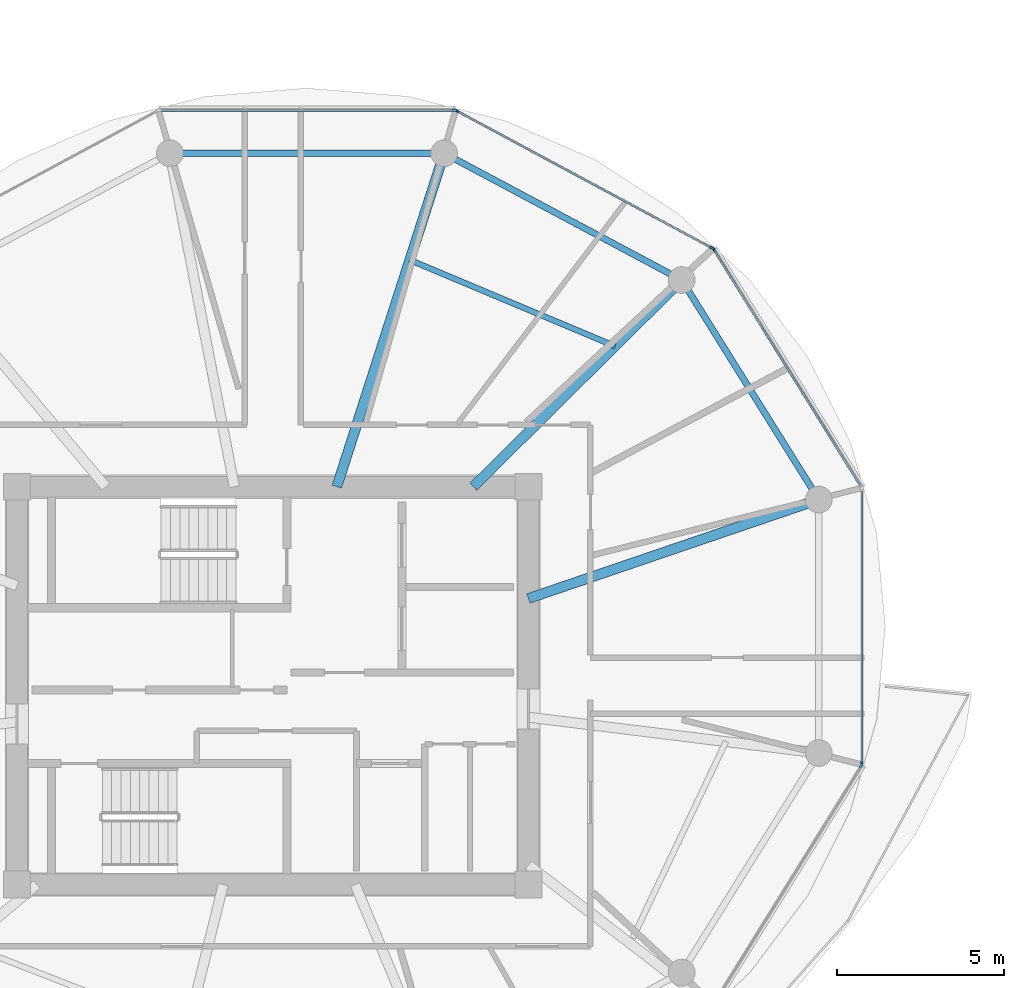
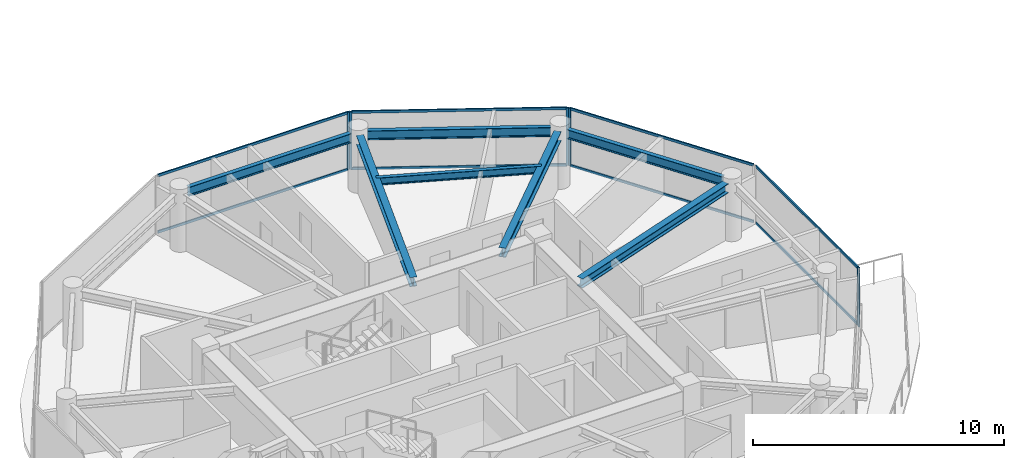
# One storey, part 5 of 22: 14 members, 7 beams, 5 elements without a shape of their own.
"""IFC4 building model written with IfcOpenShell, lengths in metres."""

from ifc_helpers import new_model, si_unit, direction, frame, origin, origin_2d, place, context, subcontext, project, spatial, rectangle, i_section, extrude, source, transform, mapped, material, layer, layer_set, material_profile, profile_set, type_object, type_shapes, element, aggregate, save


model = new_model("IFC4")

# Units and contexts
model_context = context("Model", 3, precision=1e-05, world=origin(), true_north=direction((0.0, 1.0)))
body_context = subcontext(model_context, "Body", "Model", "MODEL_VIEW")
ifc_project = project(units=[si_unit("LENGTHUNIT", "METRE"), si_unit("AREAUNIT", "SQUARE_METRE"), si_unit("VOLUMEUNIT", "CUBIC_METRE"), si_unit("PLANEANGLEUNIT", "RADIAN"), si_unit("MASSUNIT", "GRAM", prefix="KILO")], contexts=[model_context])

# Site, building, storey
site_placement = place(None, origin())
site = spatial("IfcSite", under=ifc_project, at=site_placement, CompositionType="ELEMENT")
building_placement = place(site_placement, origin())
building = spatial("IfcBuilding", under=site, at=building_placement, Name="Norrkilde Senior Care Towers", CompositionType="ELEMENT")
storey_placement = place(building_placement, frame((0.0, 0.0, 180.050048828125)))
storey = spatial("IfcBuildingStorey", under=building, at=storey_placement, Name="L56", CompositionType="ELEMENT", Elevation=180.050048828125)

# Beams
ifc_material_1 = material(Name="Steel S355", Category="steel")
ifc_material_profile_1 = material_profile(ifc_material_1, i_section(OverallWidth=0.18994140625, OverallDepth=0.449951171875, WebThickness=0.009521484375, FlangeThickness=0.0146484375, FilletRadius=0.02099609375, at=origin_2d()), Name="IPE 450")
ifc_profile_set_1 = profile_set([ifc_material_profile_1], Name="Steel S355")
beam_type_1 = type_object("IfcBeamType", Name="Perimeter Ring Spandrel Z3 IPE450", PredefinedType="SPANDREL", material=ifc_profile_set_1)
shared_shape_1 = source(origin(), body_context, "Body", "SweptSolid", [
    extrude(i_section(OverallWidth=0.18994140625, OverallDepth=0.449951171875, WebThickness=0.009521484375, FlangeThickness=0.0146484375, FilletRadius=0.02099609375, at=origin_2d()), origin(), (0.0, 0.0, 1.0), 7.0234375),
])
beam_1_placement = place(storey_placement, frame((-11.855712890625, 5.872314453125, 2.5849609375), z_axis=(-0.529789577822, 0.848129119433, 0.0), x_axis=(-0.848129119433, -0.529789577822, 0.0)))
element("IfcBeam", 1, at=beam_1_placement, inside=storey, type_object=beam_type_1, Name="L56 Drum W Perimeter Spandrel 01", PredefinedType="SPANDREL", context=body_context, shape_type="MappedRepresentation", body=[
    mapped(shared_shape_1, transform((0.0, 0.0, 0.0), x_axis=(1.0, 0.0, 0.0), y_axis=(0.0, 1.0, 0.0), z_axis=(0.0, 0.0, 1.0), scale=1.0)),
])
ifc_material_profile_2 = material_profile(ifc_material_1, i_section(OverallWidth=0.300048828125, OverallDepth=0.449951171875, WebThickness=0.013916015625, FlangeThickness=0.02587890625, FilletRadius=0.027099609375, at=origin_2d()), Name="HEB 450")
ifc_profile_set_2 = profile_set([ifc_material_profile_2], Name="Steel S355")
beam_type_2 = type_object("IfcBeamType", Name="Radial Floor Beam Z3 HEB450", PredefinedType="BEAM", material=ifc_profile_set_2)
shared_shape_2 = source(origin(), body_context, "Body", "SweptSolid", [
    extrude(i_section(OverallWidth=0.300048828125, OverallDepth=0.449951171875, WebThickness=0.013916015625, FlangeThickness=0.02587890625, FilletRadius=0.027099609375, at=origin_2d()), origin(), (0.0, 0.0, 1.0), 8.8154296875),
])
beam_2_placement = place(storey_placement, frame((-20.35009765625, 2.607177734375, 2.5849609375), z_axis=(0.946540556878, 0.322584832539, 0.0), x_axis=(-0.322584832539, 0.946540556878, 0.0)))
element("IfcBeam", 2, at=beam_2_placement, inside=storey, type_object=beam_type_2, Name="L56 Drum W Radial Floor Beam 01", PredefinedType="BEAM", context=body_context, shape_type="MappedRepresentation", body=[
    mapped(shared_shape_2, transform((0.0, 0.0, 0.0), x_axis=(1.0, 0.0, 0.0), y_axis=(0.0, 1.0, 0.0), z_axis=(0.0, 0.0, 1.0), scale=1.0)),
])
shared_shape_3 = source(origin(), body_context, "Body", "SweptSolid", [
    extrude(i_section(OverallWidth=0.18994140625, OverallDepth=0.449951171875, WebThickness=0.009521484375, FlangeThickness=0.0146484375, FilletRadius=0.02099609375, at=origin_2d()), origin(), (0.0, 0.0, 1.0), 7.333740234375),
])
beam_3_placement = place(storey_placement, frame((-16.0849609375, 12.303955078125, 2.5849609375), z_axis=(-0.882247866069, 0.470785198172, 0.0), x_axis=(-0.470785198172, -0.882247866069, 0.0)))
element("IfcBeam", 3, at=beam_3_placement, inside=storey, type_object=beam_type_1, Name="L56 Drum W Perimeter Spandrel 02", PredefinedType="SPANDREL", context=body_context, shape_type="MappedRepresentation", body=[
    mapped(shared_shape_3, transform((0.0, 0.0, 0.0), x_axis=(1.0, 0.0, 0.0), y_axis=(0.0, 1.0, 0.0), z_axis=(0.0, 0.0, 1.0), scale=1.0)),
])
shared_shape_4 = source(origin(), body_context, "Body", "SweptSolid", [
    extrude(i_section(OverallWidth=0.300048828125, OverallDepth=0.449951171875, WebThickness=0.013916015625, FlangeThickness=0.02587890625, FilletRadius=0.027099609375, at=origin_2d()), origin(), (0.0, 0.0, 1.0), 8.421630859375),
])
beam_4_placement = place(storey_placement, frame((-22.001953125, 5.949951171875, 2.5849609375), z_axis=(0.709956495972, 0.704245535184, 0.0), x_axis=(-0.704245535184, 0.709956495972, 0.0)))
element("IfcBeam", 4, at=beam_4_placement, inside=storey, type_object=beam_type_2, Name="L56 Drum W Radial Floor Beam 02", PredefinedType="BEAM", context=body_context, shape_type="MappedRepresentation", body=[
    mapped(shared_shape_4, transform((0.0, 0.0, 0.0), x_axis=(1.0, 0.0, 0.0), y_axis=(0.0, 1.0, 0.0), z_axis=(0.0, 0.0, 1.0), scale=1.0)),
])
shared_shape_5 = source(origin(), body_context, "Body", "SweptSolid", [
    extrude(i_section(OverallWidth=0.18994140625, OverallDepth=0.449951171875, WebThickness=0.009521484375, FlangeThickness=0.0146484375, FilletRadius=0.02099609375, at=origin_2d()), origin(), (0.0, 0.0, 1.0), 7.484619140625),
])
type_shapes(beam_type_1, [shared_shape_1, shared_shape_3, shared_shape_5])
beam_5_placement = place(storey_placement, frame((-23.232666015625, 15.92626953125, 2.5849609375), z_axis=(-1.0, 0.0, 0.0), x_axis=(0.0, -1.0, 0.0)))
element("IfcBeam", 5, at=beam_5_placement, inside=storey, type_object=beam_type_1, Name="L56 Drum W Perimeter Spandrel 03", PredefinedType="SPANDREL", context=body_context, shape_type="MappedRepresentation", body=[
    mapped(shared_shape_5, transform((0.0, 0.0, 0.0), x_axis=(1.0, 0.0, 0.0), y_axis=(0.0, 1.0, 0.0), z_axis=(0.0, 0.0, 1.0), scale=1.0)),
])
shared_shape_6 = source(origin(), body_context, "Body", "SweptSolid", [
    extrude(i_section(OverallWidth=0.300048828125, OverallDepth=0.449951171875, WebThickness=0.013916015625, FlangeThickness=0.02587890625, FilletRadius=0.027099609375, at=origin_2d()), origin(), (0.0, 0.0, 1.0), 10.120361328125),
])
type_shapes(beam_type_2, [shared_shape_2, shared_shape_4, shared_shape_6])
beam_6_placement = place(storey_placement, frame((-26.08447265625, 5.949951171875, 2.5849609375), z_axis=(0.306440973744, 0.951889662519, 0.0), x_axis=(-0.951889662519, 0.306440973744, 0.0)))
element("IfcBeam", 6, at=beam_6_placement, inside=storey, type_object=beam_type_2, Name="L56 Drum W Radial Floor Beam 03", PredefinedType="BEAM", context=body_context, shape_type="MappedRepresentation", body=[
    mapped(shared_shape_6, transform((0.0, 0.0, 0.0), x_axis=(1.0, 0.0, 0.0), y_axis=(0.0, 1.0, 0.0), z_axis=(0.0, 0.0, 1.0), scale=1.0)),
])
ifc_material_profile_3 = material_profile(ifc_material_1, i_section(OverallWidth=0.169921875, OverallDepth=0.360107421875, WebThickness=0.008056640625, FlangeThickness=0.0126953125, FilletRadius=0.01806640625, at=origin_2d()), Name="IPE 360")
ifc_profile_set_3 = profile_set([ifc_material_profile_3], Name="Steel S355")
beam_type_3 = type_object("IfcBeamType", Name="Secondary Floor Joist IPE360", PredefinedType="JOIST", material=ifc_profile_set_3)
shared_shape_7 = source(origin(), body_context, "Body", "SweptSolid", [
    extrude(i_section(OverallWidth=0.169921875, OverallDepth=0.360107421875, WebThickness=0.008056640625, FlangeThickness=0.0126953125, FilletRadius=0.01806640625, at=origin_2d()), origin(), (0.0, 0.0, 1.0), 6.657470703125),
])
type_shapes(beam_type_3, [shared_shape_7])
beam_7_placement = place(storey_placement, frame((-17.762451171875, 10.155517578125, 2.6298828125), z_axis=(-0.921958799252, 0.387287971, 0.0), x_axis=(-0.387287971, -0.921958799252, 0.0)))
element("IfcBeam", 7, at=beam_7_placement, inside=storey, type_object=beam_type_3, Name="L56 Drum W Secondary Floor Joist 1", PredefinedType="JOIST", context=body_context, shape_type="MappedRepresentation", body=[
    mapped(shared_shape_7, transform((0.0, 0.0, 0.0), x_axis=(1.0, 0.0, 0.0), y_axis=(0.0, 1.0, 0.0), z_axis=(0.0, 0.0, 1.0), scale=1.0)),
])

# Curtain wall, member
ifc_material_2 = material(Name="Triple Low-E Insulated Glazing", Category="glass")
ifc_layer = layer(ifc_material_2, 0.18994140625)
ifc_layer_set = layer_set([ifc_layer], Name="Triple Low-E Insulated Glazing")
curtain_wall_type = type_object("IfcCurtainWallType", Name="CW4 Zone 3 Senior Residence Curtain Wall", PredefinedType="NOTDEFINED", material=ifc_layer_set)
curtain_wall_1_placement = place(storey_placement, origin())
curtain_wall_1 = element("IfcCurtainWall", 8, at=curtain_wall_1_placement, inside=storey, type_object=curtain_wall_type, Name="L56 Drum W Curtain Wall 00", PredefinedType="NOTDEFINED")
ifc_material_3 = material(Name="Anodised Aluminium", Category="aluminium")
ifc_material_profile_4 = material_profile(ifc_material_3, rectangle(XDim=0.06494140625, YDim=0.14990234375, at=origin_2d()), Name="ALU MULL 65x150")
ifc_profile_set_4 = profile_set([ifc_material_profile_4], Name="Anodised Aluminium")
member_type_1 = type_object("IfcMemberType", Name="Curtain Wall Mullion Z3-Z4 65x150", PredefinedType="MULLION", material=ifc_profile_set_4)
shared_shape_8 = source(origin(), body_context, "Body", "SweptSolid", [
    extrude(rectangle(XDim=0.06494140625, YDim=0.14990234375, at=origin_2d()), origin(), (0.0, 0.0, 1.0), 2.81005859375),
])
type_shapes(member_type_1, [shared_shape_8])
member_1_placement = place(storey_placement, frame((-14.809814453125, 13.04736328125, 0.0), z_axis=(0.0, 0.0, 1.0), x_axis=(0.84963405474, 0.52737270789, 0.0)))
member_1 = element("IfcMember", 9, at=member_1_placement, type_object=member_type_1, Name="CW-4 mullion 1", PredefinedType="MULLION", context=body_context, shape_type="MappedRepresentation", body=[
    mapped(shared_shape_8, transform((0.0, 0.0, 0.0), x_axis=(1.0, 0.0, 0.0), y_axis=(0.0, 1.0, 0.0), z_axis=(0.0, 0.0, 1.0), scale=1.0)),
])

# Curtain wall, members
curtain_wall_2_placement = place(storey_placement, origin())
curtain_wall_2 = element("IfcCurtainWall", 10, at=curtain_wall_2_placement, inside=storey, type_object=curtain_wall_type, Name="L56 Drum W Curtain Wall 01", PredefinedType="NOTDEFINED")
member_2_placement = place(storey_placement, frame((-22.499755859375, 17.195556640625, 0.0), z_axis=(0.0, 0.0, 1.0), x_axis=(0.47311715104, 0.880999524059, 0.0)))
member_2 = element("IfcMember", 11, at=member_2_placement, type_object=member_type_1, Name="CW-4 mullion 1", PredefinedType="MULLION", context=body_context, shape_type="MappedRepresentation", body=[
    mapped(shared_shape_8, transform((0.0, 0.0, 0.0), x_axis=(1.0, 0.0, 0.0), y_axis=(0.0, 1.0, 0.0), z_axis=(0.0, 0.0, 1.0), scale=1.0)),
])
member_3_placement = place(storey_placement, frame((-14.85546875, 13.09033203125, 0.0), z_axis=(0.0, 0.0, 1.0), x_axis=(0.47311715104, 0.880999524059, 0.0)))
member_3 = element("IfcMember", 12, at=member_3_placement, type_object=member_type_1, Name="CW-4 mullion 2", PredefinedType="MULLION", context=body_context, shape_type="MappedRepresentation", body=[
    mapped(shared_shape_8, transform((0.0, 0.0, 0.0), x_axis=(1.0, 0.0, 0.0), y_axis=(0.0, 1.0, 0.0), z_axis=(0.0, 0.0, 1.0), scale=1.0)),
])

# Curtain wall, member
curtain_wall_3_placement = place(storey_placement, origin())
curtain_wall_3 = element("IfcCurtainWall", 13, at=curtain_wall_3_placement, inside=storey, type_object=curtain_wall_type, Name="L56 Drum W Curtain Wall 02", PredefinedType="NOTDEFINED")
member_4_placement = place(storey_placement, frame((-22.56103515625, 17.2109375, 0.0), z_axis=(0.0, 0.0, 1.0), x_axis=(0.0, 1.0, 0.0)))
member_4 = element("IfcMember", 14, at=member_4_placement, type_object=member_type_1, Name="CW-4 mullion 2", PredefinedType="MULLION", context=body_context, shape_type="MappedRepresentation", body=[
    mapped(shared_shape_8, transform((0.0, 0.0, 0.0), x_axis=(1.0, 0.0, 0.0), y_axis=(0.0, 1.0, 0.0), z_axis=(0.0, 0.0, 1.0), scale=1.0)),
])

curtain_wall_4_placement = place(storey_placement, origin())
curtain_wall_4 = element("IfcCurtainWall", 15, at=curtain_wall_4_placement, inside=storey, type_object=curtain_wall_type, Name="L56 Drum W Curtain Wall 10", PredefinedType="NOTDEFINED")
member_5_placement = place(storey_placement, frame((-10.3974609375, -2.38818359375, 0.0), z_axis=(0.0, 0.0, 1.0), x_axis=(0.84963405474, -0.52737270789, 0.0)))
member_5 = element("IfcMember", 16, at=member_5_placement, type_object=member_type_1, Name="CW-4 mullion 1", PredefinedType="MULLION", context=body_context, shape_type="MappedRepresentation", body=[
    mapped(shared_shape_8, transform((0.0, 0.0, 0.0), x_axis=(1.0, 0.0, 0.0), y_axis=(0.0, 1.0, 0.0), z_axis=(0.0, 0.0, 1.0), scale=1.0)),
])
aggregate(curtain_wall_4, [member_5])

curtain_wall_5_placement = place(storey_placement, origin())
curtain_wall_5 = element("IfcCurtainWall", 17, at=curtain_wall_5_placement, inside=storey, type_object=curtain_wall_type, Name="L56 Drum W Curtain Wall 11", PredefinedType="NOTDEFINED")
member_6_placement = place(storey_placement, frame((-10.38037109375, -2.328125, 0.0), z_axis=(0.0, 0.0, 1.0), x_axis=(1.0, 0.0, 0.0)))
member_6 = element("IfcMember", 18, at=member_6_placement, type_object=member_type_1, Name="CW-4 mullion 2", PredefinedType="MULLION", context=body_context, shape_type="MappedRepresentation", body=[
    mapped(shared_shape_8, transform((0.0, 0.0, 0.0), x_axis=(1.0, 0.0, 0.0), y_axis=(0.0, 1.0, 0.0), z_axis=(0.0, 0.0, 1.0), scale=1.0)),
])

# Member
ifc_material_profile_5 = material_profile(ifc_material_3, rectangle(XDim=0.06005859375, YDim=0.1201171875, at=origin_2d()), Name="ALU TRAN 60x120")
ifc_profile_set_5 = profile_set([ifc_material_profile_5], Name="Anodised Aluminium")
member_type_2 = type_object("IfcMemberType", Name="Curtain Wall Transom Typical 60x120", PredefinedType="USERDEFINED", material=ifc_profile_set_5)
shared_shape_9 = source(origin(), body_context, "Body", "SweptSolid", [
    extrude(rectangle(XDim=0.06005859375, YDim=0.1201171875, at=origin_2d()), origin(), (0.0, 0.0, 1.0), 8.301513671875),
])
member_7_placement = place(storey_placement, frame((-14.792724609375, 13.019775390625, 0.030029296875), z_axis=(0.527368718394, -0.849636531029, 0.0), x_axis=(0.849636531029, 0.527368718394, 0.0)))
member_7 = element("IfcMember", 19, at=member_7_placement, type_object=member_type_2, Name="CW-4 transom 1.1", ObjectType="TRANSOM", PredefinedType="USERDEFINED", context=body_context, shape_type="MappedRepresentation", body=[
    mapped(shared_shape_9, transform((0.0, 0.0, 0.0), x_axis=(1.0, 0.0, 0.0), y_axis=(0.0, 1.0, 0.0), z_axis=(0.0, 0.0, 1.0), scale=1.0)),
])

member_8_placement = place(storey_placement, frame((-14.792724609375, 13.019775390625, 2.780029296875), z_axis=(0.527368718394, -0.849636531029, 0.0), x_axis=(0.849636531029, 0.527368718394, 0.0)))
member_8 = element("IfcMember", 20, at=member_8_placement, type_object=member_type_2, Name="CW-4 transom 1.2", ObjectType="TRANSOM", PredefinedType="USERDEFINED", context=body_context, shape_type="MappedRepresentation", body=[
    mapped(shared_shape_9, transform((0.0, 0.0, 0.0), x_axis=(1.0, 0.0, 0.0), y_axis=(0.0, 1.0, 0.0), z_axis=(0.0, 0.0, 1.0), scale=1.0)),
])

aggregate(curtain_wall_1, [member_1, member_7, member_8])

shared_shape_10 = source(origin(), body_context, "Body", "SweptSolid", [
    extrude(rectangle(XDim=0.06005859375, YDim=0.1201171875, at=origin_2d()), origin(), (0.0, 0.0, 1.0), 8.61181640625),
])
member_9_placement = place(storey_placement, frame((-22.47119140625, 17.18017578125, 0.030029296875), z_axis=(0.880993991641, -0.473127452906, 0.0), x_axis=(0.473127452906, 0.880993991641, 0.0)))
member_9 = element("IfcMember", 21, at=member_9_placement, type_object=member_type_2, Name="CW-4 transom 1.1", ObjectType="TRANSOM", PredefinedType="USERDEFINED", context=body_context, shape_type="MappedRepresentation", body=[
    mapped(shared_shape_10, transform((0.0, 0.0, 0.0), x_axis=(1.0, 0.0, 0.0), y_axis=(0.0, 1.0, 0.0), z_axis=(0.0, 0.0, 1.0), scale=1.0)),
])

member_10_placement = place(storey_placement, frame((-22.47119140625, 17.18017578125, 2.780029296875), z_axis=(0.880993991641, -0.473127452906, 0.0), x_axis=(0.473127452906, 0.880993991641, 0.0)))
member_10 = element("IfcMember", 22, at=member_10_placement, type_object=member_type_2, Name="CW-4 transom 1.2", ObjectType="TRANSOM", PredefinedType="USERDEFINED", context=body_context, shape_type="MappedRepresentation", body=[
    mapped(shared_shape_10, transform((0.0, 0.0, 0.0), x_axis=(1.0, 0.0, 0.0), y_axis=(0.0, 1.0, 0.0), z_axis=(0.0, 0.0, 1.0), scale=1.0)),
])

aggregate(curtain_wall_2, [member_2, member_3, member_9, member_10])

shared_shape_11 = source(origin(), body_context, "Body", "SweptSolid", [
    extrude(rectangle(XDim=0.06005859375, YDim=0.1201171875, at=origin_2d()), origin(), (0.0, 0.0, 1.0), 8.762939453125),
])
member_11_placement = place(storey_placement, frame((-31.3564453125, 17.2109375, 0.030029296875), z_axis=(1.0, 0.0, 0.0), x_axis=(0.0, 1.0, 0.0)))
member_11 = element("IfcMember", 23, at=member_11_placement, type_object=member_type_2, Name="CW-4 transom 1.1", ObjectType="TRANSOM", PredefinedType="USERDEFINED", context=body_context, shape_type="MappedRepresentation", body=[
    mapped(shared_shape_11, transform((0.0, 0.0, 0.0), x_axis=(1.0, 0.0, 0.0), y_axis=(0.0, 1.0, 0.0), z_axis=(0.0, 0.0, 1.0), scale=1.0)),
])

member_12_placement = place(storey_placement, frame((-31.3564453125, 17.2109375, 2.780029296875), z_axis=(1.0, 0.0, 0.0), x_axis=(0.0, 1.0, 0.0)))
member_12 = element("IfcMember", 24, at=member_12_placement, type_object=member_type_2, Name="CW-4 transom 1.2", ObjectType="TRANSOM", PredefinedType="USERDEFINED", context=body_context, shape_type="MappedRepresentation", body=[
    mapped(shared_shape_11, transform((0.0, 0.0, 0.0), x_axis=(1.0, 0.0, 0.0), y_axis=(0.0, 1.0, 0.0), z_axis=(0.0, 0.0, 1.0), scale=1.0)),
])

aggregate(curtain_wall_3, [member_4, member_11, member_12])

shared_shape_12 = source(origin(), body_context, "Body", "SweptSolid", [
    extrude(rectangle(XDim=0.06005859375, YDim=0.1201171875, at=origin_2d()), origin(), (0.0, 0.0, 1.0), 8.141845703125),
])
type_shapes(member_type_2, [shared_shape_9, shared_shape_10, shared_shape_11, shared_shape_12])
member_13_placement = place(storey_placement, frame((-10.38037109375, 5.84619140625, 0.030029296875), z_axis=(0.0, -1.0, 0.0), x_axis=(1.0, 0.0, 0.0)))
member_13 = element("IfcMember", 25, at=member_13_placement, type_object=member_type_2, Name="CW-4 transom 1.1", ObjectType="TRANSOM", PredefinedType="USERDEFINED", context=body_context, shape_type="MappedRepresentation", body=[
    mapped(shared_shape_12, transform((0.0, 0.0, 0.0), x_axis=(1.0, 0.0, 0.0), y_axis=(0.0, 1.0, 0.0), z_axis=(0.0, 0.0, 1.0), scale=1.0)),
])

member_14_placement = place(storey_placement, frame((-10.38037109375, 5.84619140625, 2.780029296875), z_axis=(0.0, -1.0, 0.0), x_axis=(1.0, 0.0, 0.0)))
member_14 = element("IfcMember", 26, at=member_14_placement, type_object=member_type_2, Name="CW-4 transom 1.2", ObjectType="TRANSOM", PredefinedType="USERDEFINED", context=body_context, shape_type="MappedRepresentation", body=[
    mapped(shared_shape_12, transform((0.0, 0.0, 0.0), x_axis=(1.0, 0.0, 0.0), y_axis=(0.0, 1.0, 0.0), z_axis=(0.0, 0.0, 1.0), scale=1.0)),
])

aggregate(curtain_wall_5, [member_6, member_13, member_14])

save(model, "model.ifc")
